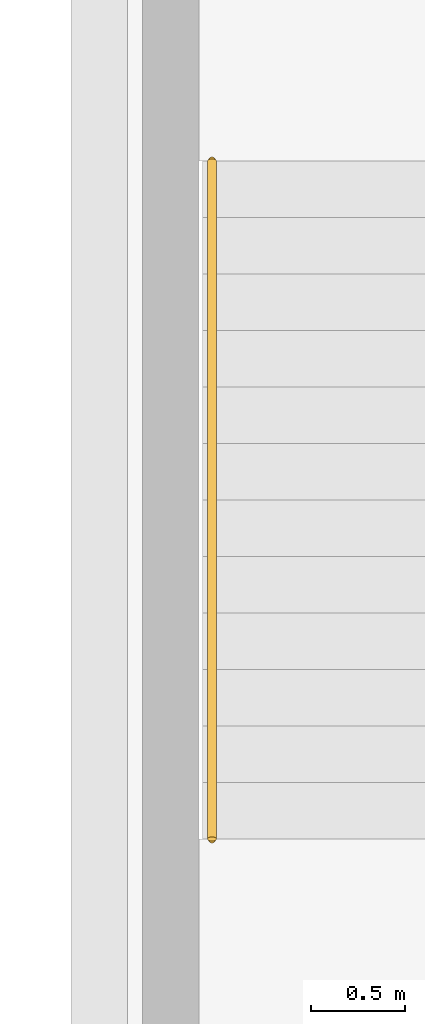
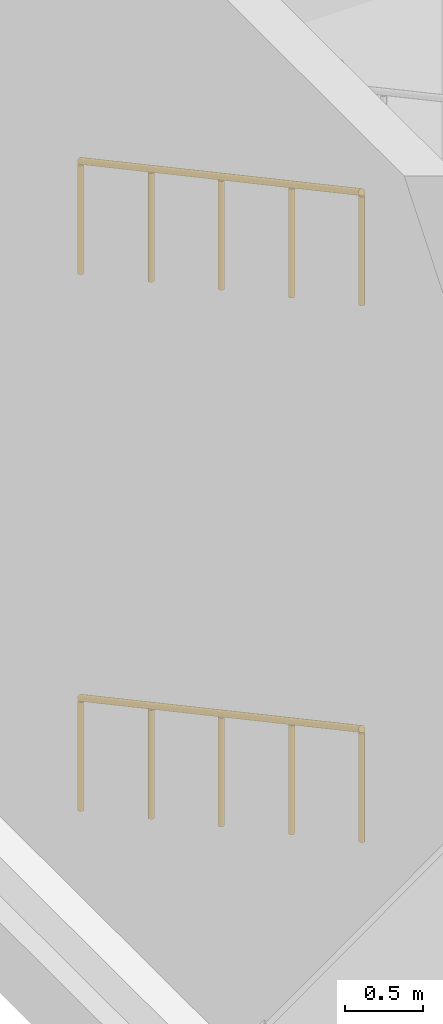
# One storey, part 127 of 131: 2 railings.
"""IFC4 building model written with IfcOpenShell, lengths in metres."""

from ifc_helpers import new_model, si_unit, direction, frame, origin, origin_2d, place, context, subcontext, project, spatial, circle, extrude, material, type_object, element, save


model = new_model("IFC4")

# Units and contexts
model_context = context("Model", 3, precision=1e-05, world=origin(), true_north=direction((0.0, 1.0)))
body_context = subcontext(model_context, "Body", "Model", "MODEL_VIEW")
ifc_project = project(units=[si_unit("LENGTHUNIT", "METRE"), si_unit("AREAUNIT", "SQUARE_METRE"), si_unit("VOLUMEUNIT", "CUBIC_METRE"), si_unit("PLANEANGLEUNIT", "RADIAN"), si_unit("MASSUNIT", "GRAM", prefix="KILO")], contexts=[model_context])

# Site, building, storey
site_placement = place(None, origin())
site = spatial("IfcSite", under=ifc_project, at=site_placement, CompositionType="ELEMENT")
building_placement = place(site_placement, origin())
building = spatial("IfcBuilding", under=site, at=building_placement, Name="Veltarok Museum of Natural Sciences", CompositionType="ELEMENT")
storey_placement = place(building_placement, origin())
storey = spatial("IfcBuildingStorey", under=building, at=storey_placement, Name="L00", CompositionType="ELEMENT", Elevation=0.0)

# Railings
ifc_material = material(Name="Steel S355J2", Category="steel")
railing_type = type_object("IfcRailingType", Name="Stair Flight Tubular Steel Handrail 900", PredefinedType="HANDRAIL", material=ifc_material)
for number, where, name in (
    (1, (133.0, 33.300048828125, 0.16162109375), "Stair Handrail ST-05-L00-F1L"),
    (2, (133.0, 33.300048828125, 4.361572265625), "Stair Handrail ST-05-L00-F3L"),
):
    element("IfcRailing", number, at=place(storey_placement, frame(where)), inside=storey, type_object=railing_type, Name=name, PredefinedType="HANDRAIL", context=body_context, shape_type="SweptSolid", body=[
        extrude(circle(Radius=0.02392578125, at=origin_2d()), frame((0.0, 0.0, 0.8759765625), z_axis=(0.0, -0.880474934443, 0.474092701714), x_axis=(1.0, 0.0, 0.0)), (0.0, 0.0, 1.0), 4.0888671875),
        extrude(circle(Radius=0.02099609375, at=origin_2d()), origin(), (0.0, 0.0, 1.0), 0.851806640625),
        extrude(circle(Radius=0.02099609375, at=origin_2d()), frame((0.0, -0.89990234375, 0.484619140625)), (0.0, 0.0, 1.0), 0.851806640625),
        extrude(circle(Radius=0.02099609375, at=origin_2d()), frame((0.0, -1.800048828125, 0.96923828125)), (0.0, 0.0, 1.0), 0.851806640625),
        extrude(circle(Radius=0.02099609375, at=origin_2d()), frame((0.0, -2.7001953125, 1.453857421875)), (0.0, 0.0, 1.0), 0.851806640625),
        extrude(circle(Radius=0.02099609375, at=origin_2d()), frame((0.0, -3.60009765625, 1.9384765625)), (0.0, 0.0, 1.0), 0.851806640625),
    ])

save(model, "model.ifc")
